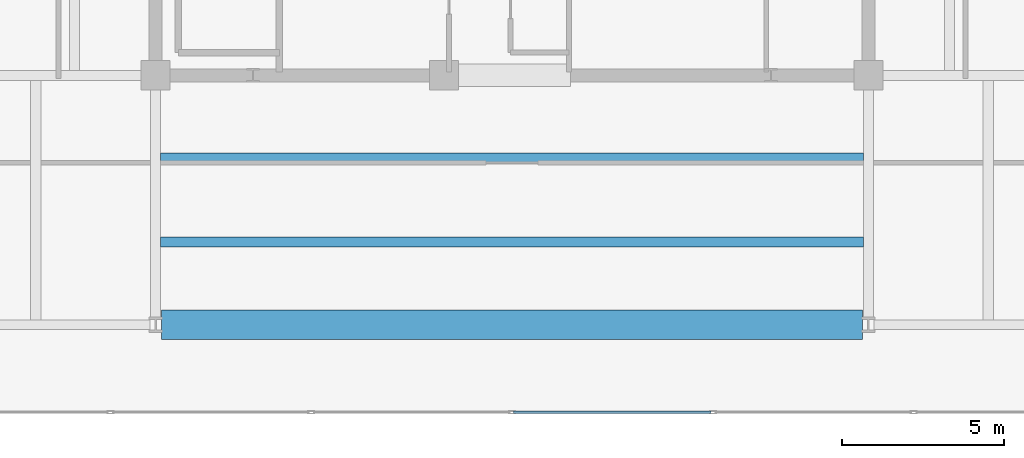
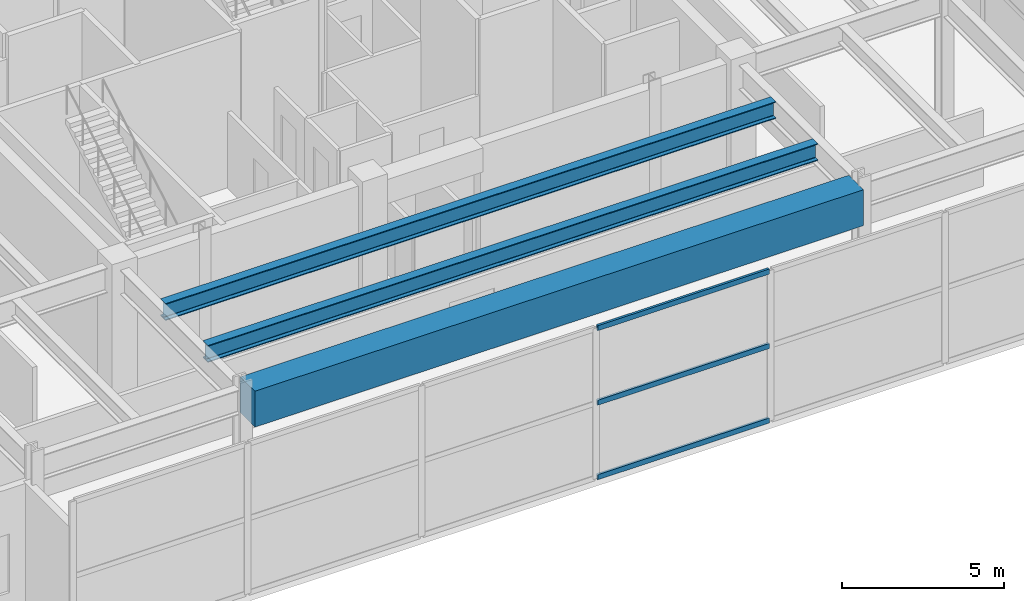
# One storey, part 5 of 21: 3 beams, 3 members, 1 element without a shape of its own.
"""IFC4 building model written with IfcOpenShell, lengths in metres."""

from ifc_helpers import new_model, si_unit, direction, frame, origin, origin_2d, place, context, subcontext, project, spatial, rectangle, hollow_rectangle, i_section, extrude, material, material_profile, profile_set, type_object, element, aggregate, save


model = new_model("IFC4")

# Units and contexts
model_context = context("Model", 3, precision=1e-05, world=origin(), true_north=direction((0.0, 1.0)))
body_context = subcontext(model_context, "Body", "Model", "MODEL_VIEW")
ifc_project = project(units=[si_unit("LENGTHUNIT", "METRE"), si_unit("AREAUNIT", "SQUARE_METRE"), si_unit("VOLUMEUNIT", "CUBIC_METRE"), si_unit("PLANEANGLEUNIT", "RADIAN"), si_unit("MASSUNIT", "GRAM", prefix="KILO")], contexts=[model_context])

# Site, building, storey
site_placement = place(None, origin())
site = spatial("IfcSite", under=ifc_project, at=site_placement, CompositionType="ELEMENT")
building_placement = place(site_placement, origin())
building = spatial("IfcBuilding", under=site, at=building_placement, Name="Kovane Verandah Tower", CompositionType="ELEMENT")
storey_placement = place(building_placement, frame((0.0, 0.0, 342.800048828125)))
storey = spatial("IfcBuildingStorey", under=building, at=storey_placement, Name="L80", CompositionType="ELEMENT", Elevation=342.800048828125)

# Beams
ifc_material_1 = material(Name="Concrete C80/95", Category="concrete")
ifc_material_profile_1 = material_profile(ifc_material_1, rectangle(XDim=0.89990234375, YDim=1.35009765625, at=origin_2d()), Name="RCB900x1350")
ifc_profile_set_1 = profile_set([ifc_material_profile_1], Name="Concrete C80/95")
beam_type_1 = type_object("IfcBeamType", Name="BM-TR-900x1350", PredefinedType="BEAM", material=ifc_profile_set_1)
beam_placement = place(storey_placement, frame((29.179931640625, 10.800048828125, 5.02490234375), z_axis=(1.0, 0.0, 0.0), x_axis=(0.0, 1.0, 0.0)))
element("IfcBeam", 1, at=beam_placement, inside=storey, type_object=beam_type_1, Name="L80 Primary Tower Girder G-RS2", PredefinedType="BEAM", context=body_context, shape_type="SweptSolid", body=[
    extrude(rectangle(XDim=0.89990234375, YDim=1.35009765625, at=origin_2d()), origin(), (0.0, 0.0, 1.0), 21.64013671875),
])
ifc_material_2 = material(Name="Steel S460", Category="steel")
ifc_material_profile_2 = material_profile(ifc_material_2, i_section(OverallWidth=0.311279296875, OverallDepth=0.6357421875, WebThickness=0.018310546875, FlangeThickness=0.031494140625, FilletRadius=0.0166015625, at=origin_2d()), Name="UB610x305x238")
ifc_profile_set_2 = profile_set([ifc_material_profile_2], Name="Steel S460")
beam_type_2 = type_object("IfcBeamType", Name="BM-UB610x238", PredefinedType="BEAM", material=ifc_profile_set_2)
for number, where, z_axis, x_axis, name in (
    (2, (29.15185546875, 13.35009765625, 5.382080078125), (1.0, 0.0, 0.0), (0.0, 1.0, 0.0), "L80 Secondary Composite Joist J-S1"),
    (3, (29.15185546875, 15.949951171875, 5.382080078125), (1.0, 0.0, 0.0), (0.0, 1.0, 0.0), "L80 Secondary Composite Joist J-S2"),
):
    element("IfcBeam", number, at=place(storey_placement, frame(where, z_axis=z_axis, x_axis=x_axis)), inside=storey, type_object=beam_type_2, Name=name, PredefinedType="BEAM", context=body_context, shape_type="SweptSolid", body=[
        extrude(i_section(OverallWidth=0.311279296875, OverallDepth=0.6357421875, WebThickness=0.018310546875, FlangeThickness=0.031494140625, FilletRadius=0.0166015625, at=origin_2d()), origin(), (0.0, 0.0, 1.0), 21.6962890625),
    ])

# Curtain wall, members
ifc_material_3 = material(Name="Champagne Anodised Aluminium Frame with Low-E Clear Laminated Glass", Category="aluminium")
curtain_wall_type = type_object("IfcCurtainWallType", Name="CW-SYS-06-CROWN", PredefinedType="NOTDEFINED", material=ifc_material_3)
curtain_wall_placement = place(storey_placement, origin())
curtain_wall = element("IfcCurtainWall", 4, at=curtain_wall_placement, inside=storey, type_object=curtain_wall_type, Name="L80 S Unitised Curtain Wall", PredefinedType="NOTDEFINED")
ifc_material_4 = material(Name="Champagne Anodised Aluminium 6063-T6", Category="aluminium")
ifc_material_profile_3 = material_profile(ifc_material_4, hollow_rectangle(XDim=0.0849609375, YDim=0.18994140625, WallThickness=0.00390625, at=origin_2d()), Name="AL85x190x4")
ifc_profile_set_3 = profile_set([ifc_material_profile_3], Name="Champagne Anodised Aluminium 6063-T6")
member_type = type_object("IfcMemberType", Name="CW-TRN-85x190", PredefinedType="USERDEFINED", material=ifc_profile_set_3)
member_1_placement = place(storey_placement, frame((40.050048828125, 8.10009765625, 0.050048828125), z_axis=(1.0, 0.0, 0.0), x_axis=(0.0, 1.0, 0.0)))
member_1 = element("IfcMember", 5, at=member_1_placement, type_object=member_type, Name="L80 S Unitised Curtain Wall Transom TB Bay 4", ObjectType="TRANSOM", PredefinedType="USERDEFINED", context=body_context, shape_type="SweptSolid", body=[
    extrude(hollow_rectangle(XDim=0.0849609375, YDim=0.18994140625, WallThickness=0.00390625, at=origin_2d()), origin(), (0.0, 0.0, 1.0), 6.099853515625),
])
member_2_placement = place(storey_placement, frame((40.050048828125, 8.10009765625, 2.849853515625), z_axis=(1.0, 0.0, 0.0), x_axis=(0.0, 1.0, 0.0)))
member_2 = element("IfcMember", 6, at=member_2_placement, type_object=member_type, Name="L80 S Unitised Curtain Wall Transom TM Bay 4", ObjectType="TRANSOM", PredefinedType="USERDEFINED", context=body_context, shape_type="SweptSolid", body=[
    extrude(hollow_rectangle(XDim=0.0849609375, YDim=0.18994140625, WallThickness=0.00390625, at=origin_2d()), origin(), (0.0, 0.0, 1.0), 6.099853515625),
])
member_3_placement = place(storey_placement, frame((40.050048828125, 8.10009765625, 5.64990234375), z_axis=(1.0, 0.0, 0.0), x_axis=(0.0, 1.0, 0.0)))
member_3 = element("IfcMember", 7, at=member_3_placement, type_object=member_type, Name="L80 S Unitised Curtain Wall Transom TT Bay 4", ObjectType="TRANSOM", PredefinedType="USERDEFINED", context=body_context, shape_type="SweptSolid", body=[
    extrude(hollow_rectangle(XDim=0.0849609375, YDim=0.18994140625, WallThickness=0.00390625, at=origin_2d()), origin(), (0.0, 0.0, 1.0), 6.099853515625),
])
aggregate(curtain_wall, [member_1, member_2, member_3])

save(model, "model.ifc")
